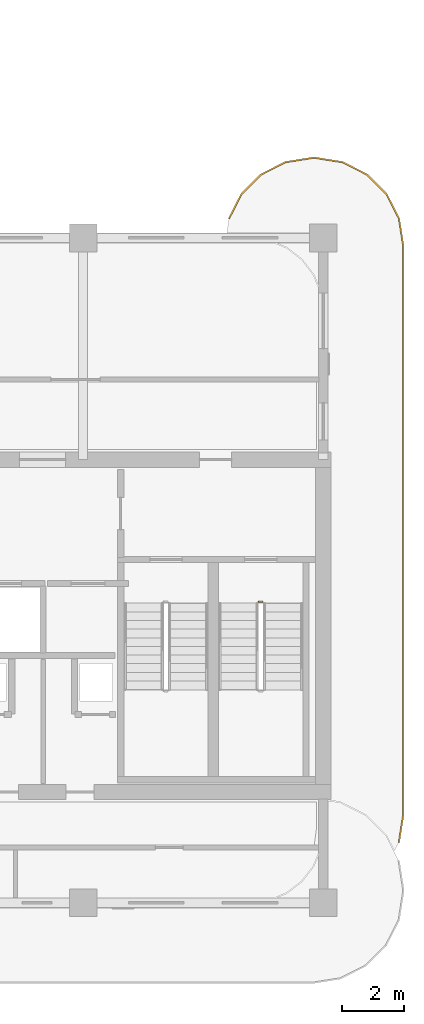
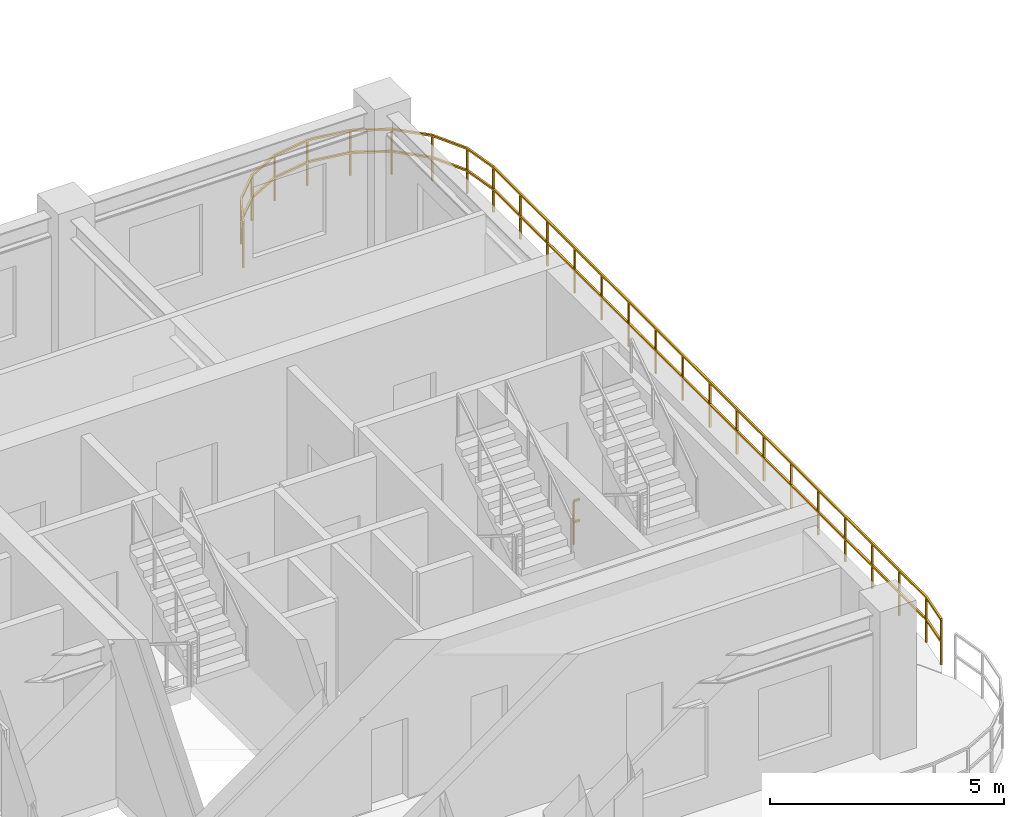
# One storey, part 17 of 19: 2 railings.
"""IFC4 building model written with IfcOpenShell, lengths in metres."""

from ifc_helpers import new_model, si_unit, derived_unit, direction, frame, origin, origin_2d, place, context, subcontext, project, spatial, rectangle, extrude, material, type_object, element, save


model = new_model("IFC4")

# Units and contexts
model_context = context("Model", 3, precision=1e-05, world=origin(), true_north=direction((0.0, 1.0)))
body_context = subcontext(model_context, "Body", "Model", "MODEL_VIEW")
ifc_project = project(units=[si_unit("LENGTHUNIT", "METRE"), si_unit("AREAUNIT", "SQUARE_METRE"), si_unit("VOLUMEUNIT", "CUBIC_METRE"), si_unit("PLANEANGLEUNIT", "RADIAN"), si_unit("MASSUNIT", "GRAM", prefix="KILO"), si_unit("THERMODYNAMICTEMPERATUREUNIT", "KELVIN"), si_unit("POWERUNIT", "WATT"), derived_unit("THERMALTRANSMITTANCEUNIT", [(si_unit("POWERUNIT", "WATT"), 1), (si_unit("AREAUNIT", "SQUARE_METRE"), -1), (si_unit("THERMODYNAMICTEMPERATUREUNIT", "KELVIN"), -1)])], contexts=[model_context])

# Site, building, storey
site_placement = place(None, origin())
site = spatial("IfcSite", under=ifc_project, at=site_placement, CompositionType="ELEMENT")
building_placement = place(site_placement, origin())
building = spatial("IfcBuilding", under=site, at=building_placement, Name="Zahravan Archway Hotel and Residences", CompositionType="ELEMENT")
storey_placement = place(building_placement, frame((0.0, 0.0, 201.89990234375)))
storey = spatial("IfcBuildingStorey", under=building, at=storey_placement, Name="L50", CompositionType="ELEMENT", Elevation=201.89990234375)

# Railings
ifc_material_1 = material(Name="Bronze & Laminated Glass Balustrade", Category="glass")
railing_type_1 = type_object("IfcRailingType", Name="RL-BAL-1200", PredefinedType="BALUSTRADE", material=ifc_material_1)
railing_1_placement = place(storey_placement, frame((46.739501953125, 22.230712890625, 0.0)))
element("IfcRailing", 1, at=railing_1_placement, inside=storey, type_object=railing_type_1, Name="L50 Balustrade RL-SLB-BAL-L50-EA-1", PredefinedType="BALUSTRADE", context=body_context, shape_type="SweptSolid", body=[
    extrude(rectangle(XDim=0.048095703125, YDim=0.048095703125, at=origin_2d()), frame((0.0, 0.0, 1.17578125), z_axis=(0.453991409995, 0.891006060389, 0.0), x_axis=(-0.891006060389, 0.453991409995, 0.0)), (0.0, 0.0, 1.0), 0.8916015625),
    extrude(rectangle(XDim=0.048095703125, YDim=0.048095703125, at=origin_2d()), frame((0.0, 0.0, 0.60009765625), z_axis=(0.453991409995, 0.891006060389, 0.0), x_axis=(-0.891006060389, 0.453991409995, 0.0)), (0.0, 0.0, 1.0), 0.8916015625),
    extrude(rectangle(XDim=0.048095703125, YDim=0.048095703125, at=origin_2d()), frame((0.40478515625, 0.79443359375, 1.17578125), z_axis=(0.707106781187, 0.707106781187, 0.0), x_axis=(-0.707106781187, 0.707106781187, 0.0)), (0.0, 0.0, 1.0), 0.891845703125),
    extrude(rectangle(XDim=0.048095703125, YDim=0.048095703125, at=origin_2d()), frame((0.40478515625, 0.79443359375, 0.60009765625), z_axis=(0.707106781187, 0.707106781187, 0.0), x_axis=(-0.707106781187, 0.707106781187, 0.0)), (0.0, 0.0, 1.0), 0.891845703125),
    extrude(rectangle(XDim=0.048095703125, YDim=0.048095703125, at=origin_2d()), frame((1.035400390625, 1.425048828125, 1.17578125), z_axis=(0.891006060389, 0.453991409995, 0.0), x_axis=(-0.453991409995, 0.891006060389, 0.0)), (0.0, 0.0, 1.0), 0.8916015625),
    extrude(rectangle(XDim=0.048095703125, YDim=0.048095703125, at=origin_2d()), frame((1.035400390625, 1.425048828125, 0.60009765625), z_axis=(0.891006060389, 0.453991409995, 0.0), x_axis=(-0.453991409995, 0.891006060389, 0.0)), (0.0, 0.0, 1.0), 0.8916015625),
    extrude(rectangle(XDim=0.048095703125, YDim=0.048095703125, at=origin_2d()), frame((1.829833984375, 1.829833984375, 1.17578125), z_axis=(0.987700720307, 0.156356282588, 0.0), x_axis=(-0.156356282588, 0.987700720307, 0.0)), (0.0, 0.0, 1.0), 0.8916015625),
    extrude(rectangle(XDim=0.048095703125, YDim=0.048095703125, at=origin_2d()), frame((1.829833984375, 1.829833984375, 0.60009765625), z_axis=(0.987700720307, 0.156356282588, 0.0), x_axis=(-0.156356282588, 0.987700720307, 0.0)), (0.0, 0.0, 1.0), 0.8916015625),
    extrude(rectangle(XDim=0.048095703125, YDim=0.048095703125, at=origin_2d()), frame((2.71044921875, 1.96923828125, 1.17578125), z_axis=(1.0, 0.0, 0.0), x_axis=(0.0, 1.0, 0.0)), (0.0, 0.0, 1.0), 0.10009765625),
    extrude(rectangle(XDim=0.048095703125, YDim=0.048095703125, at=origin_2d()), frame((2.71044921875, 1.96923828125, 0.60009765625), z_axis=(1.0, 0.0, 0.0), x_axis=(0.0, 1.0, 0.0)), (0.0, 0.0, 1.0), 0.10009765625),
    extrude(rectangle(XDim=0.048095703125, YDim=0.048095703125, at=origin_2d()), frame((2.810546875, 1.96923828125, 1.17578125), z_axis=(0.987700720307, -0.156356282588, 0.0), x_axis=(0.156356282588, 0.987700720307, 0.0)), (0.0, 0.0, 1.0), 0.8916015625),
    extrude(rectangle(XDim=0.048095703125, YDim=0.048095703125, at=origin_2d()), frame((2.810546875, 1.96923828125, 0.60009765625), z_axis=(0.987700720307, -0.156356282588, 0.0), x_axis=(0.156356282588, 0.987700720307, 0.0)), (0.0, 0.0, 1.0), 0.8916015625),
    extrude(rectangle(XDim=0.048095703125, YDim=0.048095703125, at=origin_2d()), frame((3.691162109375, 1.829833984375, 1.17578125), z_axis=(0.891006060389, -0.453991409995, 0.0), x_axis=(0.453991409995, 0.891006060389, 0.0)), (0.0, 0.0, 1.0), 0.8916015625),
    extrude(rectangle(XDim=0.048095703125, YDim=0.048095703125, at=origin_2d()), frame((3.691162109375, 1.829833984375, 0.60009765625), z_axis=(0.891006060389, -0.453991409995, 0.0), x_axis=(0.453991409995, 0.891006060389, 0.0)), (0.0, 0.0, 1.0), 0.8916015625),
    extrude(rectangle(XDim=0.048095703125, YDim=0.048095703125, at=origin_2d()), frame((4.485595703125, 1.425048828125, 1.17578125), z_axis=(0.707106781187, -0.707106781187, 0.0), x_axis=(0.707106781187, 0.707106781187, 0.0)), (0.0, 0.0, 1.0), 0.891845703125),
    extrude(rectangle(XDim=0.048095703125, YDim=0.048095703125, at=origin_2d()), frame((4.485595703125, 1.425048828125, 0.60009765625), z_axis=(0.707106781187, -0.707106781187, 0.0), x_axis=(0.707106781187, 0.707106781187, 0.0)), (0.0, 0.0, 1.0), 0.891845703125),
    extrude(rectangle(XDim=0.048095703125, YDim=0.048095703125, at=origin_2d()), frame((5.1162109375, 0.79443359375, 1.17578125), z_axis=(0.453991409995, -0.891006060389, 0.0), x_axis=(0.891006060389, 0.453991409995, 0.0)), (0.0, 0.0, 1.0), 0.8916015625),
    extrude(rectangle(XDim=0.048095703125, YDim=0.048095703125, at=origin_2d()), frame((5.1162109375, 0.79443359375, 0.60009765625), z_axis=(0.453991409995, -0.891006060389, 0.0), x_axis=(0.891006060389, 0.453991409995, 0.0)), (0.0, 0.0, 1.0), 0.8916015625),
    extrude(rectangle(XDim=0.048095703125, YDim=0.048095703125, at=origin_2d()), frame((5.52099609375, 0.0, 1.17578125), z_axis=(0.156356282588, -0.987700720307, 0.0), x_axis=(0.987700720307, 0.156356282588, 0.0)), (0.0, 0.0, 1.0), 0.8916015625),
    extrude(rectangle(XDim=0.048095703125, YDim=0.048095703125, at=origin_2d()), frame((5.52099609375, 0.0, 0.60009765625), z_axis=(0.156356282588, -0.987700720307, 0.0), x_axis=(0.987700720307, 0.156356282588, 0.0)), (0.0, 0.0, 1.0), 0.8916015625),
    extrude(rectangle(XDim=0.048095703125, YDim=0.048095703125, at=origin_2d()), frame((5.660400390625, -0.880615234375, 1.17578125), z_axis=(0.0, -1.0, 0.0), x_axis=(1.0, 0.0, 0.0)), (0.0, 0.0, 1.0), 18.5),
    extrude(rectangle(XDim=0.048095703125, YDim=0.048095703125, at=origin_2d()), frame((5.660400390625, -0.880615234375, 0.60009765625), z_axis=(0.0, -1.0, 0.0), x_axis=(1.0, 0.0, 0.0)), (0.0, 0.0, 1.0), 18.5),
    extrude(rectangle(XDim=0.048095703125, YDim=0.048095703125, at=origin_2d()), frame((5.660400390625, -19.380615234375, 1.17578125), z_axis=(-0.156314005608, -0.987707411965, 0.0), x_axis=(0.987707411965, -0.156314005608, 0.0)), (0.0, 0.0, 1.0), 0.891845703125),
    extrude(rectangle(XDim=0.048095703125, YDim=0.048095703125, at=origin_2d()), frame((5.660400390625, -19.380615234375, 0.60009765625), z_axis=(-0.156314005608, -0.987707411965, 0.0), x_axis=(0.987707411965, -0.156314005608, 0.0)), (0.0, 0.0, 1.0), 0.891845703125),
    extrude(rectangle(XDim=0.0419921875, YDim=0.0419921875, at=origin_2d()), origin(), (0.0, 0.0, 1.0), 1.15185546875),
    extrude(rectangle(XDim=0.0419921875, YDim=0.0419921875, at=origin_2d()), frame((0.40478515625, 0.79443359375, 0.0)), (0.0, 0.0, 1.0), 1.15185546875),
    extrude(rectangle(XDim=0.0419921875, YDim=0.0419921875, at=origin_2d()), frame((1.035400390625, 1.425048828125, 0.0)), (0.0, 0.0, 1.0), 1.15185546875),
    extrude(rectangle(XDim=0.0419921875, YDim=0.0419921875, at=origin_2d()), frame((1.829833984375, 1.829833984375, 0.0)), (0.0, 0.0, 1.0), 1.15185546875),
    extrude(rectangle(XDim=0.0419921875, YDim=0.0419921875, at=origin_2d()), frame((2.71044921875, 1.96923828125, 0.0)), (0.0, 0.0, 1.0), 1.15185546875),
    extrude(rectangle(XDim=0.0419921875, YDim=0.0419921875, at=origin_2d()), frame((3.691162109375, 1.829833984375, 0.0)), (0.0, 0.0, 1.0), 1.15185546875),
    extrude(rectangle(XDim=0.0419921875, YDim=0.0419921875, at=origin_2d()), frame((4.485595703125, 1.425048828125, 0.0)), (0.0, 0.0, 1.0), 1.15185546875),
    extrude(rectangle(XDim=0.0419921875, YDim=0.0419921875, at=origin_2d()), frame((5.1162109375, 0.79443359375, 0.0)), (0.0, 0.0, 1.0), 1.15185546875),
    extrude(rectangle(XDim=0.0419921875, YDim=0.0419921875, at=origin_2d()), frame((5.52099609375, 0.0, 0.0)), (0.0, 0.0, 1.0), 1.15185546875),
    extrude(rectangle(XDim=0.0419921875, YDim=0.0419921875, at=origin_2d()), frame((5.660400390625, -0.880615234375, 0.0)), (0.0, 0.0, 1.0), 1.15185546875),
    extrude(rectangle(XDim=0.0419921875, YDim=0.0419921875, at=origin_2d()), frame((5.660400390625, -2.036865234375, 0.0)), (0.0, 0.0, 1.0), 1.15185546875),
    extrude(rectangle(XDim=0.0419921875, YDim=0.0419921875, at=origin_2d()), frame((5.660400390625, -3.193115234375, 0.0)), (0.0, 0.0, 1.0), 1.15185546875),
    extrude(rectangle(XDim=0.0419921875, YDim=0.0419921875, at=origin_2d()), frame((5.660400390625, -4.349365234375, 0.0)), (0.0, 0.0, 1.0), 1.15185546875),
    extrude(rectangle(XDim=0.0419921875, YDim=0.0419921875, at=origin_2d()), frame((5.660400390625, -5.505615234375, 0.0)), (0.0, 0.0, 1.0), 1.15185546875),
    extrude(rectangle(XDim=0.0419921875, YDim=0.0419921875, at=origin_2d()), frame((5.660400390625, -6.661865234375, 0.0)), (0.0, 0.0, 1.0), 1.15185546875),
    extrude(rectangle(XDim=0.0419921875, YDim=0.0419921875, at=origin_2d()), frame((5.660400390625, -7.818115234375, 0.0)), (0.0, 0.0, 1.0), 1.15185546875),
    extrude(rectangle(XDim=0.0419921875, YDim=0.0419921875, at=origin_2d()), frame((5.660400390625, -8.974365234375, 0.0)), (0.0, 0.0, 1.0), 1.15185546875),
    extrude(rectangle(XDim=0.0419921875, YDim=0.0419921875, at=origin_2d()), frame((5.660400390625, -10.130615234375, 0.0)), (0.0, 0.0, 1.0), 1.15185546875),
    extrude(rectangle(XDim=0.0419921875, YDim=0.0419921875, at=origin_2d()), frame((5.660400390625, -11.286865234375, 0.0)), (0.0, 0.0, 1.0), 1.15185546875),
    extrude(rectangle(XDim=0.0419921875, YDim=0.0419921875, at=origin_2d()), frame((5.660400390625, -12.443115234375, 0.0)), (0.0, 0.0, 1.0), 1.15185546875),
    extrude(rectangle(XDim=0.0419921875, YDim=0.0419921875, at=origin_2d()), frame((5.660400390625, -13.599365234375, 0.0)), (0.0, 0.0, 1.0), 1.15185546875),
    extrude(rectangle(XDim=0.0419921875, YDim=0.0419921875, at=origin_2d()), frame((5.660400390625, -14.755615234375, 0.0)), (0.0, 0.0, 1.0), 1.15185546875),
    extrude(rectangle(XDim=0.0419921875, YDim=0.0419921875, at=origin_2d()), frame((5.660400390625, -15.911865234375, 0.0)), (0.0, 0.0, 1.0), 1.15185546875),
    extrude(rectangle(XDim=0.0419921875, YDim=0.0419921875, at=origin_2d()), frame((5.660400390625, -17.068115234375, 0.0)), (0.0, 0.0, 1.0), 1.15185546875),
    extrude(rectangle(XDim=0.0419921875, YDim=0.0419921875, at=origin_2d()), frame((5.660400390625, -18.224365234375, 0.0)), (0.0, 0.0, 1.0), 1.15185546875),
    extrude(rectangle(XDim=0.0419921875, YDim=0.0419921875, at=origin_2d()), frame((5.660400390625, -19.380615234375, 0.0)), (0.0, 0.0, 1.0), 1.15185546875),
    extrude(rectangle(XDim=0.0419921875, YDim=0.0419921875, at=origin_2d()), frame((5.52099609375, -20.261474609375, 0.0)), (0.0, 0.0, 1.0), 1.15185546875),
])
ifc_material_2 = material(Name="Painted Tubular Steel", Category="steel")
railing_type_2 = type_object("IfcRailingType", Name="RL-STG-1150", PredefinedType="GUARDRAIL", material=ifc_material_2)
railing_2_placement = place(storey_placement, frame((47.699951171875, 9.780029296875, 0.0)))
element("IfcRailing", 2, at=railing_2_placement, inside=storey, type_object=railing_type_2, Name="L50 ST-A3 stair guard 4", PredefinedType="GUARDRAIL", context=body_context, shape_type="SweptSolid", body=[
    extrude(rectangle(XDim=0.048095703125, YDim=0.048095703125, at=origin_2d()), frame((0.0, 0.0, 1.1259765625), z_axis=(1.0, 0.0, 0.0), x_axis=(0.0, 1.0, 0.0)), (0.0, 0.0, 1.0), 0.14013671875),
    extrude(rectangle(XDim=0.048095703125, YDim=0.048095703125, at=origin_2d()), frame((0.0, 0.0, 0.574951171875), z_axis=(1.0, 0.0, 0.0), x_axis=(0.0, 1.0, 0.0)), (0.0, 0.0, 1.0), 0.14013671875),
    extrude(rectangle(XDim=0.0419921875, YDim=0.0419921875, at=origin_2d()), origin(), (0.0, 0.0, 1.0), 1.101806640625),
])

save(model, "model.ifc")
